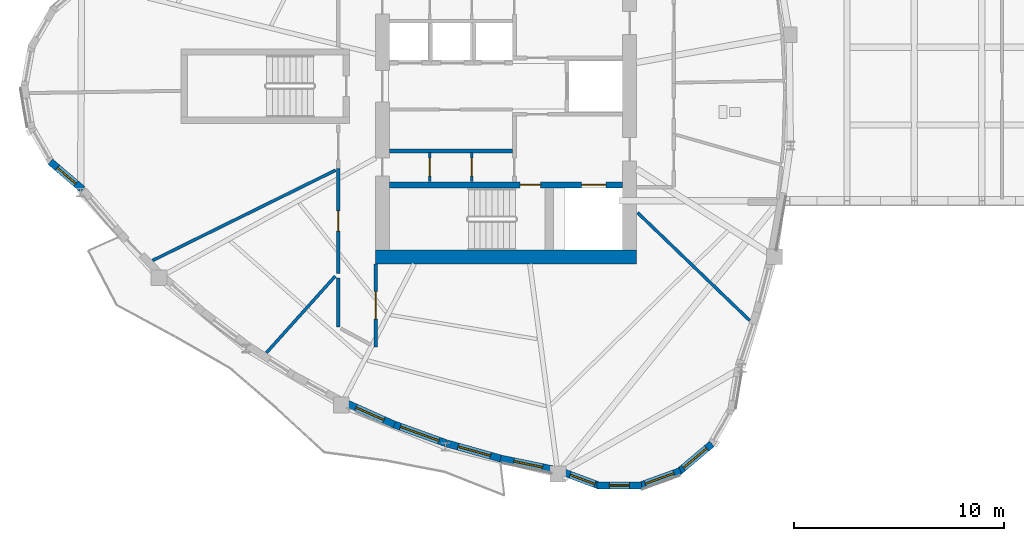
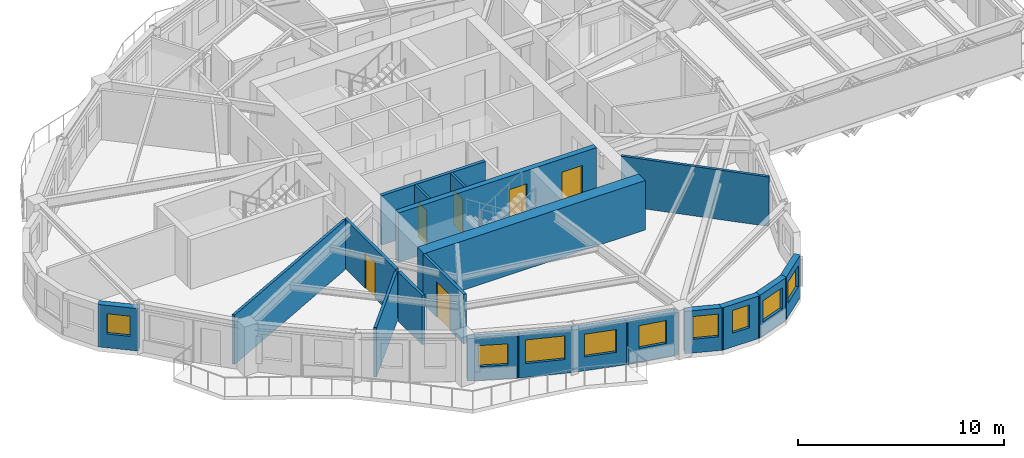
# One storey, part 4 of 13: 20 walls, 9 windows, 6 doors, 15 openings.
"""IFC4 building model written with IfcOpenShell, lengths in metres."""

from ifc_helpers import new_model, si_unit, direction, frame, frame_2d, origin, place, context, subcontext, project, spatial, rectangle, extrude, source, transform, mapped, material, layer, layer_set, type_object, element, fill, save


model = new_model("IFC4")

# Units and contexts
model_context = context("Model", 3, precision=1e-05, world=origin(), true_north=direction((0.0, 1.0)))
body_context = subcontext(model_context, "Body", "Model", "MODEL_VIEW")
ifc_project = project(units=[si_unit("LENGTHUNIT", "METRE"), si_unit("AREAUNIT", "SQUARE_METRE"), si_unit("VOLUMEUNIT", "CUBIC_METRE"), si_unit("PLANEANGLEUNIT", "RADIAN"), si_unit("MASSUNIT", "GRAM", prefix="KILO")], contexts=[model_context])

# Site, building, storey
site_placement = place(None, origin())
site = spatial("IfcSite", under=ifc_project, at=site_placement, CompositionType="ELEMENT")
building_placement = place(site_placement, origin())
building = spatial("IfcBuilding", under=site, at=building_placement, Name="Qafzar Sky-Pleat Residences", CompositionType="ELEMENT")
storey_placement = place(building_placement, frame((0.0, 0.0, 155.39990234375)))
storey = spatial("IfcBuildingStorey", under=building, at=storey_placement, Name="L46", CompositionType="ELEMENT", Elevation=155.39990234375)

# Wall, opening, door
ifc_material_1 = material(Name="Acoustic gypsum plasterboard partition", Category="gypsum")
ifc_layer_1 = layer(ifc_material_1, 0.159912109375)
ifc_layer_set_1 = layer_set([ifc_layer_1], Name="Acoustic gypsum plasterboard partition")
wall_type_1 = type_object("IfcWallType", Name="PART-COR-160", PredefinedType="PARTITIONING", material=ifc_layer_set_1)
wall_1_placement = place(storey_placement, frame((22.3701171875, 17.096923828125, 0.0), z_axis=(0.0, 0.0, 1.0), x_axis=(0.0, 1.0, 0.0)))
wall_1 = element("IfcWall", 1, at=wall_1_placement, inside=storey, type_object=wall_type_1, Name="L46 Partition Wall PART-L46-PW-004", PredefinedType="PARTITIONING", context=body_context, shape_type="SweptSolid", body=[
    extrude(rectangle(XDim=4.982177734375, YDim=0.159912109375, at=frame_2d((2.4912109375, 0.0))), origin(), (0.0, 0.0, 1.0), 2.93505859375),
])
opening_1_placement = place(wall_1_placement, frame((2.013916015625, 0.0, 0.0)))
opening_1 = element("IfcOpeningElement", 2, at=opening_1_placement, cuts=wall_1, Name="Opening ID-06", PredefinedType="OPENING", context=body_context, shape_type="SweptSolid", body=[
    extrude(rectangle(XDim=0.9599609375, YDim=2.10009765625, at=frame_2d((0.47998046875, 1.050048828125))), frame((0.0, 0.08984375, 0.0), z_axis=(0.0, -1.0, 0.0), x_axis=(1.0, 0.0, 0.0)), (0.0, 0.0, 1.0), 0.179931640625),
])
ifc_material_2 = material(Name="Timber-faced fire door", Category="wood")
door_type_1 = type_object("IfcDoorType", Name="DR-STD-960", OperationType="NOTDEFINED", PredefinedType="DOOR", material=ifc_material_2)
shared_shape_1 = source(origin(), body_context, "Body", "SweptSolid", [
    extrude(rectangle(XDim=0.9599609375, YDim=2.10009765625, at=frame_2d((0.47998046875, 1.050048828125))), frame((0.0, 0.02490234375, 0.0), z_axis=(0.0, -1.0, 0.0), x_axis=(1.0, 0.0, 0.0)), (0.0, 0.0, 1.0), 0.050048828125),
])
door_1_placement = place(opening_1_placement, origin())
door_1 = element("IfcDoor", 3, at=door_1_placement, inside=storey, type_object=door_type_1, Name="L46 Scholar Co-Working Workspace Door", OperationType="SINGLE_SWING_LEFT", OverallHeight=2.10009765625, OverallWidth=0.9599609375, PredefinedType="DOOR", context=body_context, shape_type="MappedRepresentation", body=[
    mapped(shared_shape_1, transform((0.0, 0.0, 0.0), x_axis=(1.0, 0.0, 0.0), y_axis=(0.0, 1.0, 0.0), z_axis=(0.0, 0.0, 1.0), scale=1.0)),
])
fill(opening_1, door_1)

wall_2_placement = place(storey_placement, frame((24.14990234375, 17.5419921875, 0.0), z_axis=(0.0, 0.0, 1.0), x_axis=(0.0, -1.0, 0.0)))
wall_2 = element("IfcWall", 4, at=wall_2_placement, inside=storey, type_object=wall_type_1, Name="L46 Partition Wall PART-L46-PW-007", PredefinedType="PARTITIONING", context=body_context, shape_type="SweptSolid", body=[
    extrude(rectangle(XDim=3.945068359375, YDim=0.159912109375, at=frame_2d((1.97265625, 0.0))), origin(), (0.0, 0.0, 1.0), 2.93505859375),
])
opening_2_placement = place(wall_2_placement, frame((1.318603515625, 0.0, 0.0)))
opening_2 = element("IfcOpeningElement", 5, at=opening_2_placement, cuts=wall_2, Name="Opening ID-05", PredefinedType="OPENING", context=body_context, shape_type="SweptSolid", body=[
    extrude(rectangle(XDim=1.300048828125, YDim=2.10009765625, at=frame_2d((0.64990234375, 1.050048828125))), frame((0.0, 0.08984375, 0.0), z_axis=(0.0, -1.0, 0.0), x_axis=(1.0, 0.0, 0.0)), (0.0, 0.0, 1.0), 0.179931640625),
])
door_type_2 = type_object("IfcDoorType", Name="DR-LNG-1300", OperationType="DOUBLE_DOOR_SINGLE_SWING", PredefinedType="DOOR", material=ifc_material_2)
shared_shape_2 = source(origin(), body_context, "Body", "SweptSolid", [
    extrude(rectangle(XDim=1.300048828125, YDim=2.10009765625, at=frame_2d((0.64990234375, 1.050048828125))), frame((0.0, 0.02490234375, 0.0), z_axis=(0.0, -1.0, 0.0), x_axis=(1.0, 0.0, 0.0)), (0.0, 0.0, 1.0), 0.050048828125),
])
door_2_placement = place(opening_2_placement, origin())
door_2 = element("IfcDoor", 6, at=door_2_placement, inside=storey, type_object=door_type_2, Name="L46 Academic Seminar Room Door", OperationType="DOUBLE_DOOR_SINGLE_SWING", OverallHeight=2.10009765625, OverallWidth=1.300048828125, PredefinedType="DOOR", context=body_context, shape_type="MappedRepresentation", body=[
    mapped(shared_shape_2, transform((0.0, 0.0, 0.0), x_axis=(1.0, 0.0, 0.0), y_axis=(0.0, 1.0, 0.0), z_axis=(0.0, 0.0, 1.0), scale=1.0)),
])
fill(opening_2, door_2)

# Walls
wall_3_placement = place(storey_placement, frame((22.3701171875, 14.5380859375, 0.0), z_axis=(0.0, 0.0, 1.0), x_axis=(0.0, 1.0, 0.0)))
element("IfcWall", 7, at=wall_3_placement, inside=storey, type_object=wall_type_1, Name="L46 Partition Wall PART-L46-PW-029", PredefinedType="PARTITIONING", context=body_context, shape_type="SweptSolid", body=[
    extrude(rectangle(XDim=2.33837890625, YDim=0.159912109375, at=frame_2d((1.169189453125, 0.0))), origin(), (0.0, 0.0, 1.0), 2.93505859375),
])
ifc_material_3 = material(Name="Concrete blockwork partition", Category="masonry")
ifc_layer_2 = layer(ifc_material_3, 0.179931640625)
ifc_layer_set_2 = layer_set([ifc_layer_2], Name="Concrete blockwork partition")
wall_type_2 = type_object("IfcWallType", Name="PART-SHAFT-180", PredefinedType="PARTITIONING", material=ifc_layer_set_2)
wall_4_placement = place(storey_placement, frame((24.81005859375, 22.919921875, 0.0), z_axis=(0.0, 0.0, 1.0), x_axis=(1.0, 0.0, 0.0)))
element("IfcWall", 8, at=wall_4_placement, inside=storey, type_object=wall_type_2, Name="L46 Partition Wall PART-L46-P13-S", PredefinedType="PARTITIONING", context=body_context, shape_type="SweptSolid", body=[
    extrude(rectangle(XDim=5.83984375, YDim=0.179931640625, at=frame_2d((2.919921875, 0.0))), origin(), (0.0, 0.0, 1.0), 2.93505859375),
])

# Wall, opening, door
ifc_material_4 = material(Name="Gypsum plasterboard partition", Category="gypsum")
ifc_layer_3 = layer(ifc_material_4, 0.114990234375)
ifc_layer_set_3 = layer_set([ifc_layer_3], Name="Gypsum plasterboard partition")
wall_type_3 = type_object("IfcWallType", Name="PART-SVC-115", PredefinedType="PARTITIONING", material=ifc_layer_set_3)
wall_5_placement = place(storey_placement, frame((26.72509765625, 21.4599609375, 0.0), z_axis=(0.0, 0.0, 1.0), x_axis=(0.0, 1.0, 0.0)))
wall_5 = element("IfcWall", 9, at=wall_5_placement, inside=storey, type_object=wall_type_3, Name="L46 Partition Wall PART-L46-KC-SW-1", PredefinedType="PARTITIONING", context=body_context, shape_type="SweptSolid", body=[
    extrude(rectangle(XDim=1.380126953125, YDim=0.114990234375, at=frame_2d((0.68994140625, 0.0))), origin(), (0.0, 0.0, 1.0), 2.93505859375),
])
opening_3_placement = place(wall_5_placement, frame((0.260009765625, 0.0, 0.0)))
opening_3 = element("IfcOpeningElement", 10, at=opening_3_placement, cuts=wall_5, Name="Opening ID-09", PredefinedType="OPENING", context=body_context, shape_type="SweptSolid", body=[
    extrude(rectangle(XDim=0.860107421875, YDim=2.050048828125, at=frame_2d((0.43017578125, 1.02490234375))), frame((0.0, 0.0673828125, 0.0), z_axis=(0.0, -1.0, 0.0), x_axis=(1.0, 0.0, 0.0)), (0.0, 0.0, 1.0), 0.135009765625),
])
door_type_3 = type_object("IfcDoorType", Name="DR-SVC-860", OperationType="NOTDEFINED", PredefinedType="DOOR", material=ifc_material_2)
shared_shape_3 = source(origin(), body_context, "Body", "SweptSolid", [
    extrude(rectangle(XDim=0.860107421875, YDim=2.050048828125, at=frame_2d((0.43017578125, 1.02490234375))), frame((0.0, 0.02490234375, 0.0), z_axis=(0.0, -1.0, 0.0), x_axis=(1.0, 0.0, 0.0)), (0.0, 0.0, 1.0), 0.050048828125),
])
door_3_placement = place(opening_3_placement, origin())
door_3 = element("IfcDoor", 11, at=door_3_placement, inside=storey, type_object=door_type_3, Name="L46 Core South Cupboard 1 Door", OperationType="SINGLE_SWING_RIGHT", OverallHeight=2.050048828125, OverallWidth=0.860107421875, PredefinedType="DOOR", context=body_context, shape_type="MappedRepresentation", body=[
    mapped(shared_shape_3, transform((0.0, 0.0, 0.0), x_axis=(1.0, 0.0, 0.0), y_axis=(0.0, 1.0, 0.0), z_axis=(0.0, 0.0, 1.0), scale=1.0)),
])
fill(opening_3, door_3)

wall_6_placement = place(storey_placement, frame((28.72509765625, 21.4599609375, 0.0), z_axis=(0.0, 0.0, 1.0), x_axis=(0.0, 1.0, 0.0)))
wall_6 = element("IfcWall", 12, at=wall_6_placement, inside=storey, type_object=wall_type_3, Name="L46 Partition Wall PART-L46-KC-SW-2", PredefinedType="PARTITIONING", context=body_context, shape_type="SweptSolid", body=[
    extrude(rectangle(XDim=1.380126953125, YDim=0.114990234375, at=frame_2d((0.68994140625, 0.0))), origin(), (0.0, 0.0, 1.0), 2.93505859375),
])
opening_4_placement = place(wall_6_placement, frame((0.260009765625, 0.0, 0.0)))
opening_4 = element("IfcOpeningElement", 13, at=opening_4_placement, cuts=wall_6, Name="Opening ID-09", PredefinedType="OPENING", context=body_context, shape_type="SweptSolid", body=[
    extrude(rectangle(XDim=0.860107421875, YDim=2.050048828125, at=frame_2d((0.43017578125, 1.02490234375))), frame((0.0, 0.0673828125, 0.0), z_axis=(0.0, -1.0, 0.0), x_axis=(1.0, 0.0, 0.0)), (0.0, 0.0, 1.0), 0.135009765625),
])
door_4_placement = place(opening_4_placement, origin())
door_4 = element("IfcDoor", 14, at=door_4_placement, inside=storey, type_object=door_type_3, Name="L46 Core South Cupboard 2 Door", OperationType="SINGLE_SWING_RIGHT", OverallHeight=2.050048828125, OverallWidth=0.860107421875, PredefinedType="DOOR", context=body_context, shape_type="MappedRepresentation", body=[
    mapped(shared_shape_3, transform((0.0, 0.0, 0.0), x_axis=(1.0, 0.0, 0.0), y_axis=(0.0, 1.0, 0.0), z_axis=(0.0, 0.0, 1.0), scale=1.0)),
])
fill(opening_4, door_4)

# Walls
ifc_layer_4 = layer(ifc_material_1, 0.14501953125)
ifc_layer_set_4 = layer_set([ifc_layer_4], Name="Acoustic gypsum plasterboard partition")
wall_type_4 = type_object("IfcWallType", Name="PART-UNIT-145", PredefinedType="PARTITIONING", material=ifc_layer_set_4)
wall_7_placement = place(storey_placement, frame((13.5400390625, 17.705810546875, 0.0), z_axis=(0.0, 0.0, 1.0), x_axis=(0.896762400541, 0.442512369291, 0.0)))
element("IfcWall", 15, at=wall_7_placement, inside=storey, type_object=wall_type_4, Name="L46 Partition Wall PART-L46-PW-016", PredefinedType="PARTITIONING", context=body_context, shape_type="SweptSolid", body=[
    extrude(rectangle(XDim=9.71337890625, YDim=0.14501953125, at=frame_2d((4.856689453125, 0.0))), origin(), (0.0, 0.0, 1.0), 2.93505859375),
])
wall_8_placement = place(storey_placement, frame((36.60595703125, 19.983154296875, 0.0), z_axis=(0.0, 0.0, 1.0), x_axis=(0.720776649136, -0.69316738387, 0.0)))
element("IfcWall", 16, at=wall_8_placement, inside=storey, type_object=wall_type_4, Name="L46 Partition Wall PART-L46-PW-018", PredefinedType="PARTITIONING", context=body_context, shape_type="SweptSolid", body=[
    extrude(rectangle(XDim=7.4013671875, YDim=0.14501953125, at=frame_2d((3.70068359375, 0.0))), origin(), (0.0, 0.0, 1.0), 2.93505859375),
])
wall_9_placement = place(storey_placement, frame((18.957275390625, 13.321533203125, 0.0), z_axis=(0.0, 0.0, 1.0), x_axis=(0.66841369867, 0.743789706456, 0.0)))
element("IfcWall", 17, at=wall_9_placement, inside=storey, type_object=wall_type_4, Name="L46 Partition Wall PART-L46-PW-024", PredefinedType="PARTITIONING", context=body_context, shape_type="SweptSolid", body=[
    extrude(rectangle(XDim=4.897216796875, YDim=0.14501953125, at=frame_2d((2.44873046875, 0.0))), origin(), (0.0, 0.0, 1.0), 2.93505859375),
])

# Wall, opening, window
ifc_material_5 = material(Name="Precast concrete C40/50 with honed Riyadh limestone", Category="concrete")
ifc_layer_5 = layer(ifc_material_5, 0.340087890625)
ifc_layer_set_5 = layer_set([ifc_layer_5], Name="Precast concrete C40/50 with honed Riyadh limestone")
wall_type_5 = type_object("IfcWallType", Name="WALL-EXT-340", PredefinedType="SOLIDWALL", material=ifc_layer_set_5)
wall_10_placement = place(storey_placement, frame((8.682373046875, 22.406005859375, 0.0), z_axis=(0.0, 0.0, 1.0), x_axis=(0.760269373804, -0.649607942728, 0.0)))
wall_10 = element("IfcWall", 18, at=wall_10_placement, inside=storey, type_object=wall_type_5, Name="L46 Limestone Facade Wall 6", PredefinedType="SOLIDWALL", context=body_context, shape_type="SweptSolid", body=[
    extrude(rectangle(XDim=2.023193359375, YDim=0.340087890625, at=frame_2d((1.01171875, 0.0))), origin(), (0.0, 0.0, 1.0), 2.51513671875),
])
opening_5_placement = place(wall_10_placement, frame((0.446533203125, 0.0, 0.820068359375)))
opening_5 = element("IfcOpeningElement", 19, at=opening_5_placement, cuts=wall_10, Name="Opening WN-16", PredefinedType="OPENING", context=body_context, shape_type="SweptSolid", body=[
    extrude(rectangle(XDim=1.14990234375, YDim=1.199951171875, at=frame_2d((0.574951171875, 0.60009765625))), frame((0.0, 0.18017578125, 0.0), z_axis=(0.0, -1.0, 0.0), x_axis=(1.0, 0.0, 0.0)), (0.0, 0.0, 1.0), 0.360107421875),
])
ifc_material_6 = material(Name="Solar-control low-E glass in bronze aluminium frame", Category="glass")
window_type_1 = type_object("IfcWindowType", Name="WIN-16", PartitioningType="SINGLE_PANEL", PredefinedType="WINDOW", material=ifc_material_6)
shared_shape_4 = source(origin(), body_context, "Body", "SweptSolid", [
    extrude(rectangle(XDim=1.14990234375, YDim=1.199951171875, at=frame_2d((0.574951171875, 0.60009765625))), frame((0.0, 0.030029296875, 0.0), z_axis=(0.0, -1.0, 0.0), x_axis=(1.0, 0.0, 0.0)), (0.0, 0.0, 1.0), 0.06005859375),
])
window_1_placement = place(opening_5_placement, origin())
window_1 = element("IfcWindow", 20, at=window_1_placement, inside=storey, type_object=window_type_1, Name="L46 Punched Facade Window 06", OverallHeight=1.199951171875, OverallWidth=1.14990234375, PartitioningType="SINGLE_PANEL", PredefinedType="WINDOW", context=body_context, shape_type="MappedRepresentation", body=[
    mapped(shared_shape_4, transform((0.0, 0.0, 0.0), x_axis=(1.0, 0.0, 0.0), y_axis=(0.0, 1.0, 0.0), z_axis=(0.0, 0.0, 1.0), scale=1.0)),
])
fill(opening_5, window_1)

wall_11_placement = place(storey_placement, frame((22.729736328125, 10.93505859375, 0.0), z_axis=(0.0, 0.0, 1.0), x_axis=(0.91319100356, -0.407531828226, 0.0)))
wall_11 = element("IfcWall", 21, at=wall_11_placement, inside=storey, type_object=wall_type_5, Name="L46 Limestone Facade Wall 13", PredefinedType="SOLIDWALL", context=body_context, shape_type="SweptSolid", body=[
    extrude(rectangle(XDim=2.53515625, YDim=0.340087890625, at=frame_2d((1.267578125, 0.0))), origin(), (0.0, 0.0, 1.0), 2.51513671875),
])
opening_6_placement = place(wall_11_placement, frame((0.53759765625, 0.0, 0.820068359375)))
opening_6 = element("IfcOpeningElement", 22, at=opening_6_placement, cuts=wall_11, Name="Opening WN-15", PredefinedType="OPENING", context=body_context, shape_type="SweptSolid", body=[
    extrude(rectangle(XDim=1.449951171875, YDim=1.25, at=frame_2d((0.72509765625, 0.625))), frame((0.0, 0.18017578125, 0.0), z_axis=(0.0, -1.0, 0.0), x_axis=(1.0, 0.0, 0.0)), (0.0, 0.0, 1.0), 0.360107421875),
])
window_type_2 = type_object("IfcWindowType", Name="WIN-15", PartitioningType="SINGLE_PANEL", PredefinedType="WINDOW", material=ifc_material_6)
shared_shape_5 = source(origin(), body_context, "Body", "SweptSolid", [
    extrude(rectangle(XDim=1.449951171875, YDim=1.25, at=frame_2d((0.72509765625, 0.625))), frame((0.0, 0.030029296875, 0.0), z_axis=(0.0, -1.0, 0.0), x_axis=(1.0, 0.0, 0.0)), (0.0, 0.0, 1.0), 0.06005859375),
])
window_2_placement = place(opening_6_placement, origin())
window_2 = element("IfcWindow", 23, at=window_2_placement, inside=storey, type_object=window_type_2, Name="L46 Punched Facade Window 13", OverallHeight=1.25, OverallWidth=1.449951171875, PartitioningType="SINGLE_PANEL", PredefinedType="WINDOW", context=body_context, shape_type="MappedRepresentation", body=[
    mapped(shared_shape_5, transform((0.0, 0.0, 0.0), x_axis=(1.0, 0.0, 0.0), y_axis=(0.0, 1.0, 0.0), z_axis=(0.0, 0.0, 1.0), scale=1.0)),
])
fill(opening_6, window_2)

wall_12_placement = place(storey_placement, frame((24.962646484375, 9.934814453125, 0.0), z_axis=(0.0, 0.0, 1.0), x_axis=(0.940931201947, -0.338597804486, 0.0)))
wall_12 = element("IfcWall", 24, at=wall_12_placement, inside=storey, type_object=wall_type_5, Name="L46 Limestone Facade Wall 14", PredefinedType="SOLIDWALL", context=body_context, shape_type="SweptSolid", body=[
    extrude(rectangle(XDim=2.7001953125, YDim=0.340087890625, at=frame_2d((1.35009765625, 0.0))), origin(), (0.0, 0.0, 1.0), 2.51513671875),
])
opening_7_placement = place(wall_12_placement, frame((0.38525390625, 0.0, 0.820068359375)))
opening_7 = element("IfcOpeningElement", 25, at=opening_7_placement, cuts=wall_12, Name="Opening WN-08", PredefinedType="OPENING", context=body_context, shape_type="SweptSolid", body=[
    extrude(rectangle(XDim=1.949951171875, YDim=1.39990234375, at=frame_2d((0.97509765625, 0.699951171875))), frame((0.0, 0.18017578125, 0.0), z_axis=(0.0, -1.0, 0.0), x_axis=(1.0, 0.0, 0.0)), (0.0, 0.0, 1.0), 0.360107421875),
])
window_type_3 = type_object("IfcWindowType", Name="WIN-08", PartitioningType="DOUBLE_PANEL_VERTICAL", PredefinedType="WINDOW", material=ifc_material_6)
shared_shape_6 = source(origin(), body_context, "Body", "SweptSolid", [
    extrude(rectangle(XDim=1.949951171875, YDim=1.39990234375, at=frame_2d((0.97509765625, 0.699951171875))), frame((0.0, 0.030029296875, 0.0), z_axis=(0.0, -1.0, 0.0), x_axis=(1.0, 0.0, 0.0)), (0.0, 0.0, 1.0), 0.06005859375),
])
window_3_placement = place(opening_7_placement, origin())
window_3 = element("IfcWindow", 26, at=window_3_placement, inside=storey, type_object=window_type_3, Name="L46 Punched Facade Window 14", OverallHeight=1.39990234375, OverallWidth=1.949951171875, PartitioningType="SINGLE_PANEL", PredefinedType="WINDOW", context=body_context, shape_type="MappedRepresentation", body=[
    mapped(shared_shape_6, transform((0.0, 0.0, 0.0), x_axis=(1.0, 0.0, 0.0), y_axis=(0.0, 1.0, 0.0), z_axis=(0.0, 0.0, 1.0), scale=1.0)),
])
fill(opening_7, window_3)

wall_13_placement = place(storey_placement, frame((27.52978515625, 9.011962890625, 0.0), z_axis=(0.0, 0.0, 1.0), x_axis=(0.962871583056, -0.26995983876, 0.0)))
wall_13 = element("IfcWall", 27, at=wall_13_placement, inside=storey, type_object=wall_type_5, Name="L46 Limestone Facade Wall 15", PredefinedType="SOLIDWALL", context=body_context, shape_type="SweptSolid", body=[
    extrude(rectangle(XDim=2.74462890625, YDim=0.340087890625, at=frame_2d((1.372314453125, 0.0))), origin(), (0.0, 0.0, 1.0), 2.51513671875),
])
opening_8_placement = place(wall_13_placement, frame((0.5625, 0.0, 0.820068359375)))
opening_8 = element("IfcOpeningElement", 28, at=opening_8_placement, cuts=wall_13, Name="Opening WN-09", PredefinedType="OPENING", context=body_context, shape_type="SweptSolid", body=[
    extrude(rectangle(XDim=1.60009765625, YDim=1.35009765625, at=frame_2d((0.800048828125, 0.675048828125))), frame((0.0, 0.18017578125, 0.0), z_axis=(0.0, -1.0, 0.0), x_axis=(1.0, 0.0, 0.0)), (0.0, 0.0, 1.0), 0.360107421875),
])
window_type_4 = type_object("IfcWindowType", Name="WIN-09", PartitioningType="DOUBLE_PANEL_VERTICAL", PredefinedType="WINDOW", material=ifc_material_6)
shared_shape_7 = source(origin(), body_context, "Body", "SweptSolid", [
    extrude(rectangle(XDim=1.60009765625, YDim=1.35009765625, at=frame_2d((0.800048828125, 0.675048828125))), frame((0.0, 0.030029296875, 0.0), z_axis=(0.0, -1.0, 0.0), x_axis=(1.0, 0.0, 0.0)), (0.0, 0.0, 1.0), 0.06005859375),
])
window_4_placement = place(opening_8_placement, origin())
window_4 = element("IfcWindow", 29, at=window_4_placement, inside=storey, type_object=window_type_4, Name="L46 Punched Facade Window 15", OverallHeight=1.35009765625, OverallWidth=1.60009765625, PartitioningType="SINGLE_PANEL", PredefinedType="WINDOW", context=body_context, shape_type="MappedRepresentation", body=[
    mapped(shared_shape_7, transform((0.0, 0.0, 0.0), x_axis=(1.0, 0.0, 0.0), y_axis=(0.0, 1.0, 0.0), z_axis=(0.0, 0.0, 1.0), scale=1.0)),
])
fill(opening_8, window_4)

wall_14_placement = place(storey_placement, frame((30.08740234375, 8.2919921875, 0.0), z_axis=(0.0, 0.0, 1.0), x_axis=(0.97931860195, -0.202324185097, 0.0)))
wall_14 = element("IfcWall", 30, at=wall_14_placement, inside=storey, type_object=wall_type_5, Name="L46 Limestone Facade Wall 16", PredefinedType="SOLIDWALL", context=body_context, shape_type="SweptSolid", body=[
    extrude(rectangle(XDim=2.66796875, YDim=0.340087890625, at=frame_2d((1.333984375, 0.0))), origin(), (0.0, 0.0, 1.0), 2.51513671875),
])
opening_9_placement = place(wall_14_placement, frame((0.638916015625, 0.0, 0.820068359375)))
opening_9 = element("IfcOpeningElement", 31, at=opening_9_placement, cuts=wall_14, Name="Opening WN-10", PredefinedType="OPENING", context=body_context, shape_type="SweptSolid", body=[
    extrude(rectangle(XDim=1.39990234375, YDim=1.35009765625, at=frame_2d((0.699951171875, 0.675048828125))), frame((0.0, 0.18017578125, 0.0), z_axis=(0.0, -1.0, 0.0), x_axis=(1.0, 0.0, 0.0)), (0.0, 0.0, 1.0), 0.360107421875),
])
window_type_5 = type_object("IfcWindowType", Name="WIN-10", PartitioningType="SINGLE_PANEL", PredefinedType="WINDOW", material=ifc_material_6)
shared_shape_8 = source(origin(), body_context, "Body", "SweptSolid", [
    extrude(rectangle(XDim=1.39990234375, YDim=1.35009765625, at=frame_2d((0.699951171875, 0.675048828125))), frame((0.0, 0.030029296875, 0.0), z_axis=(0.0, -1.0, 0.0), x_axis=(1.0, 0.0, 0.0)), (0.0, 0.0, 1.0), 0.06005859375),
])
window_5_placement = place(opening_9_placement, origin())
window_5 = element("IfcWindow", 32, at=window_5_placement, inside=storey, type_object=window_type_5, Name="L46 Punched Facade Window 16", OverallHeight=1.35009765625, OverallWidth=1.39990234375, PartitioningType="SINGLE_PANEL", PredefinedType="WINDOW", context=body_context, shape_type="MappedRepresentation", body=[
    mapped(shared_shape_8, transform((0.0, 0.0, 0.0), x_axis=(1.0, 0.0, 0.0), y_axis=(0.0, 1.0, 0.0), z_axis=(0.0, 0.0, 1.0), scale=1.0)),
])
fill(opening_9, window_5)

wall_15_placement = place(storey_placement, frame((33.022216796875, 7.659423828125, 0.0), z_axis=(0.0, 0.0, 1.0), x_axis=(0.936898854489, -0.349600538411, 0.0)))
wall_15 = element("IfcWall", 33, at=wall_15_placement, inside=storey, type_object=wall_type_5, Name="L46 Limestone Facade Wall 17", PredefinedType="SOLIDWALL", context=body_context, shape_type="SweptSolid", body=[
    extrude(rectangle(XDim=1.91552734375, YDim=0.340087890625, at=frame_2d((0.957763671875, 0.0))), origin(), (0.0, 0.0, 1.0), 2.51513671875),
])
opening_10_placement = place(wall_15_placement, frame((0.40771484375, 0.0, 0.820068359375)))
opening_10 = element("IfcOpeningElement", 34, at=opening_10_placement, cuts=wall_15, Name="Opening WN-11", PredefinedType="OPENING", context=body_context, shape_type="SweptSolid", body=[
    extrude(rectangle(XDim=1.25, YDim=1.35009765625, at=frame_2d((0.625, 0.675048828125))), frame((0.0, 0.18017578125, 0.0), z_axis=(0.0, -1.0, 0.0), x_axis=(1.0, 0.0, 0.0)), (0.0, 0.0, 1.0), 0.360107421875),
])
window_type_6 = type_object("IfcWindowType", Name="WIN-11", PartitioningType="SINGLE_PANEL", PredefinedType="WINDOW", material=ifc_material_6)
shared_shape_9 = source(origin(), body_context, "Body", "SweptSolid", [
    extrude(rectangle(XDim=1.25, YDim=1.35009765625, at=frame_2d((0.625, 0.675048828125))), frame((0.0, 0.030029296875, 0.0), z_axis=(0.0, -1.0, 0.0), x_axis=(1.0, 0.0, 0.0)), (0.0, 0.0, 1.0), 0.06005859375),
])
window_6_placement = place(opening_10_placement, origin())
window_6 = element("IfcWindow", 35, at=window_6_placement, inside=storey, type_object=window_type_6, Name="L46 Punched Facade Window 17", OverallHeight=1.35009765625, OverallWidth=1.25, PartitioningType="SINGLE_PANEL", PredefinedType="WINDOW", context=body_context, shape_type="MappedRepresentation", body=[
    mapped(shared_shape_9, transform((0.0, 0.0, 0.0), x_axis=(1.0, 0.0, 0.0), y_axis=(0.0, 1.0, 0.0), z_axis=(0.0, 0.0, 1.0), scale=1.0)),
])
fill(opening_10, window_6)

wall_16_placement = place(storey_placement, frame((34.684814453125, 7.013916015625, 0.0), z_axis=(0.0, 0.0, 1.0), x_axis=(0.9999881768, -0.004862742089, 0.0)))
wall_16 = element("IfcWall", 36, at=wall_16_placement, inside=storey, type_object=wall_type_5, Name="L46 Limestone Facade Wall 18", PredefinedType="SOLIDWALL", context=body_context, shape_type="SweptSolid", body=[
    extrude(rectangle(XDim=2.108642578125, YDim=0.340087890625, at=frame_2d((1.05419921875, 0.0))), origin(), (0.0, 0.0, 1.0), 2.51513671875),
])
opening_11_placement = place(wall_16_placement, frame((0.579345703125, 0.0, 0.820068359375)))
opening_11 = element("IfcOpeningElement", 37, at=opening_11_placement, cuts=wall_16, Name="Opening WN-12", PredefinedType="OPENING", context=body_context, shape_type="SweptSolid", body=[
    extrude(rectangle(XDim=0.949951171875, YDim=1.35009765625, at=frame_2d((0.47509765625, 0.675048828125))), frame((0.0, 0.18017578125, 0.0), z_axis=(0.0, -1.0, 0.0), x_axis=(1.0, 0.0, 0.0)), (0.0, 0.0, 1.0), 0.360107421875),
])
window_type_7 = type_object("IfcWindowType", Name="WIN-12", PartitioningType="SINGLE_PANEL", PredefinedType="WINDOW", material=ifc_material_6)
shared_shape_10 = source(origin(), body_context, "Body", "SweptSolid", [
    extrude(rectangle(XDim=0.949951171875, YDim=1.35009765625, at=frame_2d((0.47509765625, 0.675048828125))), frame((0.0, 0.030029296875, 0.0), z_axis=(0.0, -1.0, 0.0), x_axis=(1.0, 0.0, 0.0)), (0.0, 0.0, 1.0), 0.06005859375),
])
window_7_placement = place(opening_11_placement, origin())
window_7 = element("IfcWindow", 38, at=window_7_placement, inside=storey, type_object=window_type_7, Name="L46 Punched Facade Window 18", OverallHeight=1.35009765625, OverallWidth=0.949951171875, PartitioningType="SINGLE_PANEL", PredefinedType="WINDOW", context=body_context, shape_type="MappedRepresentation", body=[
    mapped(shared_shape_10, transform((0.0, 0.0, 0.0), x_axis=(1.0, 0.0, 0.0), y_axis=(0.0, 1.0, 0.0), z_axis=(0.0, 0.0, 1.0), scale=1.0)),
])
fill(opening_11, window_7)

wall_17_placement = place(storey_placement, frame((36.6611328125, 6.980712890625, 0.0), z_axis=(0.0, 0.0, 1.0), x_axis=(0.940242205015, 0.340506381597, 0.0)))
wall_17 = element("IfcWall", 39, at=wall_17_placement, inside=storey, type_object=wall_type_5, Name="L46 Limestone Facade Wall 19", PredefinedType="SOLIDWALL", context=body_context, shape_type="SweptSolid", body=[
    extrude(rectangle(XDim=2.108642578125, YDim=0.340087890625, at=frame_2d((1.05419921875, 0.0))), origin(), (0.0, 0.0, 1.0), 2.51513671875),
])
opening_12_placement = place(wall_17_placement, frame((0.329345703125, 0.0, 0.820068359375)))
opening_12 = element("IfcOpeningElement", 40, at=opening_12_placement, cuts=wall_17, Name="Opening WN-15", PredefinedType="OPENING", context=body_context, shape_type="SweptSolid", body=[
    extrude(rectangle(XDim=1.449951171875, YDim=1.25, at=frame_2d((0.72509765625, 0.625))), frame((0.0, 0.18017578125, 0.0), z_axis=(0.0, -1.0, 0.0), x_axis=(1.0, 0.0, 0.0)), (0.0, 0.0, 1.0), 0.360107421875),
])
window_8_placement = place(opening_12_placement, origin())
window_8 = element("IfcWindow", 41, at=window_8_placement, inside=storey, type_object=window_type_2, Name="L46 Punched Facade Window 19", OverallHeight=1.25, OverallWidth=1.449951171875, PartitioningType="SINGLE_PANEL", PredefinedType="WINDOW", context=body_context, shape_type="MappedRepresentation", body=[
    mapped(shared_shape_5, transform((0.0, 0.0, 0.0), x_axis=(1.0, 0.0, 0.0), y_axis=(0.0, 1.0, 0.0), z_axis=(0.0, 0.0, 1.0), scale=1.0)),
])
fill(opening_12, window_8)

wall_18_placement = place(storey_placement, frame((38.52734375, 7.631591796875, 0.0), z_axis=(0.0, 0.0, 1.0), x_axis=(0.76506129474, 0.643957463883, 0.0)))
wall_18 = element("IfcWall", 42, at=wall_18_placement, inside=storey, type_object=wall_type_5, Name="L46 Limestone Facade Wall 20", PredefinedType="SOLIDWALL", context=body_context, shape_type="SweptSolid", body=[
    extrude(rectangle(XDim=2.108642578125, YDim=0.340087890625, at=frame_2d((1.05419921875, 0.0))), origin(), (0.0, 0.0, 1.0), 2.51513671875),
])
opening_13_placement = place(wall_18_placement, frame((0.329345703125, 0.0, 0.820068359375)))
opening_13 = element("IfcOpeningElement", 43, at=opening_13_placement, cuts=wall_18, Name="Opening WN-15", PredefinedType="OPENING", context=body_context, shape_type="SweptSolid", body=[
    extrude(rectangle(XDim=1.449951171875, YDim=1.25, at=frame_2d((0.72509765625, 0.625))), frame((0.0, 0.18017578125, 0.0), z_axis=(0.0, -1.0, 0.0), x_axis=(1.0, 0.0, 0.0)), (0.0, 0.0, 1.0), 0.360107421875),
])
window_9_placement = place(opening_13_placement, origin())
window_9 = element("IfcWindow", 44, at=window_9_placement, inside=storey, type_object=window_type_2, Name="L46 Punched Facade Window 20", OverallHeight=1.25, OverallWidth=1.449951171875, PartitioningType="SINGLE_PANEL", PredefinedType="WINDOW", context=body_context, shape_type="MappedRepresentation", body=[
    mapped(shared_shape_5, transform((0.0, 0.0, 0.0), x_axis=(1.0, 0.0, 0.0), y_axis=(0.0, 1.0, 0.0), z_axis=(0.0, 0.0, 1.0), scale=1.0)),
])
fill(opening_13, window_9)

# Wall, openings, doors
ifc_material_7 = material(Name="Concrete C60/75", Category="concrete")
ifc_layer_6 = layer(ifc_material_7, 0.300048828125)
ifc_layer_set_6 = layer_set([ifc_layer_6], Name="Concrete C60/75")
wall_type_6 = type_object("IfcWallType", Name="WALL-SHEAR-300", PredefinedType="SHEAR", material=ifc_layer_set_6)
wall_19_placement = place(storey_placement, frame((24.800048828125, 21.300048828125, 0.0), z_axis=(0.0, 0.0, 1.0), x_axis=(1.0, 0.0, 0.0)))
wall_19 = element("IfcWall", 45, at=wall_19_placement, inside=storey, type_object=wall_type_6, Name="L46 Stair ST1 and FF1 Shaft North Wall", PredefinedType="SHEAR", context=body_context, shape_type="SweptSolid", body=[
    extrude(rectangle(XDim=11.099853515625, YDim=0.300048828125, at=frame_2d((5.5498046875, 0.0))), origin(), (0.0, 0.0, 1.0), 2.93505859375),
])
opening_14_placement = place(wall_19_placement, frame((6.219970703125, 0.0, 0.0)))
opening_14 = element("IfcOpeningElement", 46, at=opening_14_placement, cuts=wall_19, Name="Opening ID-01", PredefinedType="OPENING", context=body_context, shape_type="SweptSolid", body=[
    extrude(rectangle(XDim=0.97998046875, YDim=2.14990234375, at=frame_2d((0.489990234375, 1.074951171875))), frame((0.0, 0.16015625, 0.0), z_axis=(0.0, -1.0, 0.0), x_axis=(1.0, 0.0, 0.0)), (0.0, 0.0, 1.0), 0.320068359375),
])
opening_15_placement = place(wall_19_placement, frame((9.14990234375, 0.0, 0.0)))
opening_15 = element("IfcOpeningElement", 47, at=opening_15_placement, cuts=wall_19, Name="Opening LD-02", PredefinedType="OPENING", context=body_context, shape_type="SweptSolid", body=[
    extrude(rectangle(XDim=1.14990234375, YDim=2.14990234375, at=frame_2d((0.574951171875, 1.074951171875))), frame((0.0, 0.16015625, 0.0), z_axis=(0.0, -1.0, 0.0), x_axis=(1.0, 0.0, 0.0)), (0.0, 0.0, 1.0), 0.320068359375),
])
door_type_4 = type_object("IfcDoorType", Name="DR-STAIR-980", OperationType="NOTDEFINED", PredefinedType="DOOR", material=ifc_material_2)
shared_shape_11 = source(origin(), body_context, "Body", "SweptSolid", [
    extrude(rectangle(XDim=0.97998046875, YDim=2.14990234375, at=frame_2d((0.489990234375, 1.074951171875))), frame((0.0, 0.02490234375, 0.0), z_axis=(0.0, -1.0, 0.0), x_axis=(1.0, 0.0, 0.0)), (0.0, 0.0, 1.0), 0.050048828125),
])
door_5_placement = place(opening_14_placement, origin())
door_5 = element("IfcDoor", 48, at=door_5_placement, inside=storey, type_object=door_type_4, Name="L46 Stair ST1 Fire Door", OperationType="SINGLE_SWING_RIGHT", OverallHeight=2.14990234375, OverallWidth=0.97998046875, PredefinedType="DOOR", context=body_context, shape_type="MappedRepresentation", body=[
    mapped(shared_shape_11, transform((0.0, 0.0, 0.0), x_axis=(1.0, 0.0, 0.0), y_axis=(0.0, 1.0, 0.0), z_axis=(0.0, 0.0, 1.0), scale=1.0)),
])
fill(opening_14, door_5)
ifc_material_8 = material(Name="Stainless steel sliding landing door", Category="steel")
door_type_5 = type_object("IfcDoorType", Name="DR-LIFT-FF", OperationType="DOUBLE_DOOR_SLIDING", PredefinedType="DOOR", material=ifc_material_8)
shared_shape_12 = source(origin(), body_context, "Body", "SweptSolid", [
    extrude(rectangle(XDim=1.14990234375, YDim=2.14990234375, at=frame_2d((0.574951171875, 1.074951171875))), frame((0.0, 0.02490234375, 0.0), z_axis=(0.0, -1.0, 0.0), x_axis=(1.0, 0.0, 0.0)), (0.0, 0.0, 1.0), 0.050048828125),
])
door_6_placement = place(opening_15_placement, origin())
door_6 = element("IfcDoor", 49, at=door_6_placement, inside=storey, type_object=door_type_5, Name="L46 Firefighting Lift FF1 Landing Door", OperationType="DOUBLE_DOOR_SLIDING", OverallHeight=2.14990234375, OverallWidth=1.14990234375, PredefinedType="DOOR", context=body_context, shape_type="MappedRepresentation", body=[
    mapped(shared_shape_12, transform((0.0, 0.0, 0.0), x_axis=(1.0, 0.0, 0.0), y_axis=(0.0, 1.0, 0.0), z_axis=(0.0, 0.0, 1.0), scale=1.0)),
])
fill(opening_15, door_6)

# Wall
ifc_layer_7 = layer(ifc_material_7, 0.64990234375)
ifc_layer_set_7 = layer_set([ifc_layer_7], Name="Concrete C60/75")
wall_type_7 = type_object("IfcWallType", Name="WALL-SHEAR-650", PredefinedType="SHEAR", material=ifc_layer_set_7)
wall_20_placement = place(storey_placement, frame((24.14990234375, 17.875, 0.0), z_axis=(0.0, 0.0, 1.0), x_axis=(1.0, 0.0, 0.0)))
element("IfcWall", 50, at=wall_20_placement, inside=storey, type_object=wall_type_7, Name="L46 CORE wall S", PredefinedType="SHEAR", context=body_context, shape_type="SweptSolid", body=[
    extrude(rectangle(XDim=12.400146484375, YDim=0.64990234375, at=frame_2d((6.2001953125, 0.0))), origin(), (0.0, 0.0, 1.0), 2.93505859375),
])

save(model, "model.ifc")
